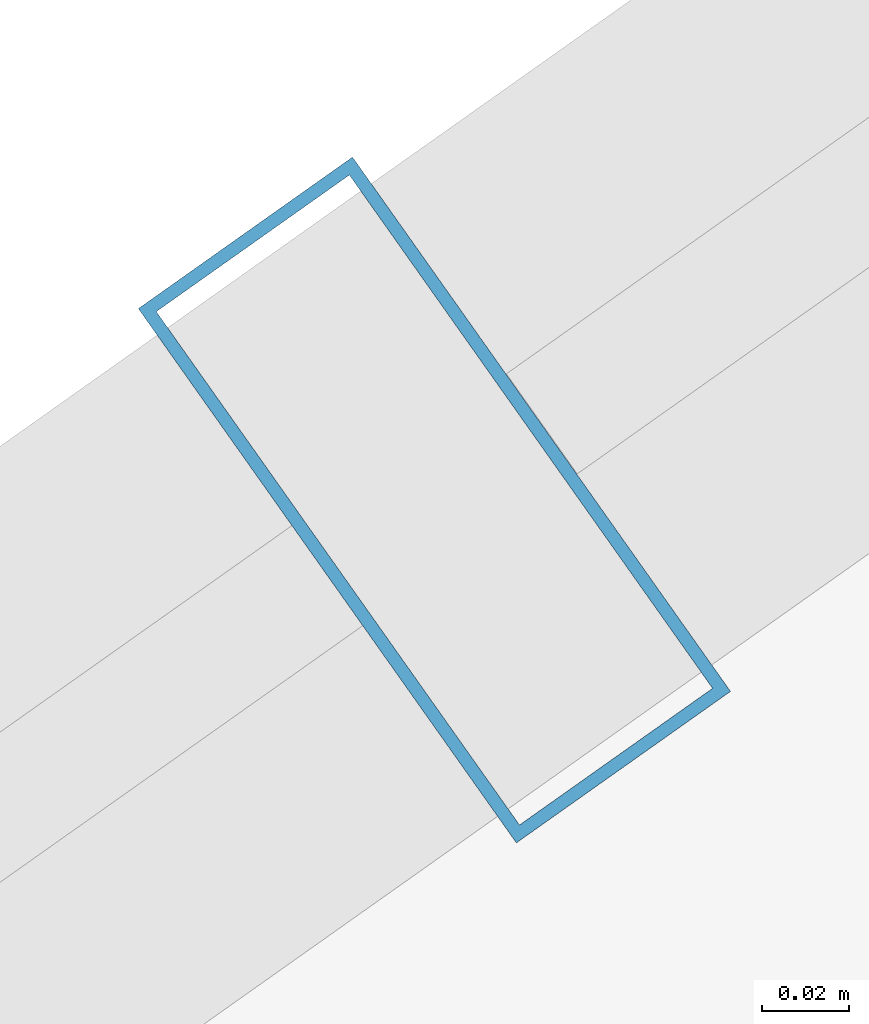
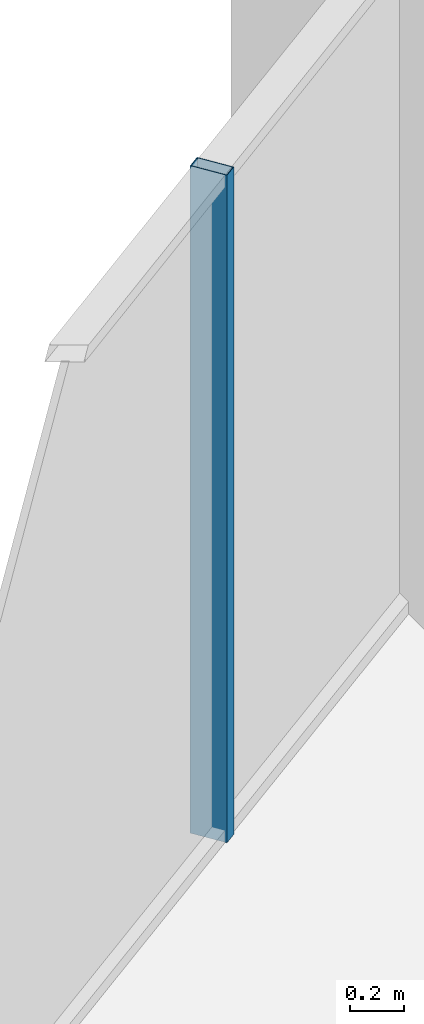
# One storey, part 21 of 32: 1 member, 1 element without a shape of its own.
"""IFC4 building model written with IfcOpenShell, lengths in metres."""

from ifc_helpers import new_model, si_unit, direction, frame, origin, origin_2d, place, context, subcontext, project, spatial, hollow_rectangle, extrude, source, transform, mapped, material, layer, layer_set, material_profile, profile_set, type_object, element, aggregate, save


model = new_model("IFC4")

# Units and contexts
model_context = context("Model", 3, precision=1e-05, world=origin(), true_north=direction((0.0, 1.0)))
body_context = subcontext(model_context, "Body", "Model", "MODEL_VIEW")
ifc_project = project(units=[si_unit("LENGTHUNIT", "METRE"), si_unit("AREAUNIT", "SQUARE_METRE"), si_unit("VOLUMEUNIT", "CUBIC_METRE"), si_unit("PLANEANGLEUNIT", "RADIAN"), si_unit("MASSUNIT", "GRAM", prefix="KILO")], contexts=[model_context])

# Site, building, storey
site_placement = place(None, origin())
site = spatial("IfcSite", under=ifc_project, at=site_placement, CompositionType="ELEMENT")
building_placement = place(site_placement, origin())
building = spatial("IfcBuilding", under=site, at=building_placement, Name="Veraguas Prism Commons", CompositionType="ELEMENT")
storey_placement = place(building_placement, frame((0.0, 0.0, 188.60009765625)))
storey = spatial("IfcBuildingStorey", under=building, at=storey_placement, Name="L53", CompositionType="ELEMENT", Elevation=188.60009765625)

# Curtain wall, member
ifc_material = material(Name="Anodised aluminium EN AW-6063 T6", Category="aluminium")
ifc_layer = layer(ifc_material, 0.14990234375, Name="Unitised Flush Curtain Wall Zone 3", Category="aluminium")
ifc_layer_set = layer_set([ifc_layer], Name="Anodised aluminium EN AW-6063 T6")
curtain_wall_type = type_object("IfcCurtainWallType", Name="Unitised Flush Curtain Wall Zone 3", PredefinedType="NOTDEFINED", material=ifc_layer_set)
curtain_wall_placement = place(storey_placement, origin())
curtain_wall = element("IfcCurtainWall", 1, at=curtain_wall_placement, inside=storey, type_object=curtain_wall_type, Name="Tower Facade Curtain Wall L53-F2", PredefinedType="NOTDEFINED")
ifc_material_profile = material_profile(ifc_material, hollow_rectangle(XDim=0.06005859375, YDim=0.14990234375, WallThickness=0.0029296875, at=origin_2d()), Name="AL60X150X3")
ifc_profile_set = profile_set([ifc_material_profile], Name="Anodised aluminium EN AW-6063 T6")
member_type = type_object("IfcMemberType", Name="Curtain Wall Mullion Upper AL 60x150x3", PredefinedType="MULLION", material=ifc_profile_set)
shared_shape = source(origin(), body_context, "Body", "SweptSolid", [
    extrude(hollow_rectangle(XDim=0.06005859375, YDim=0.14990234375, WallThickness=0.0029296875, at=origin_2d()), origin(), (0.0, 0.0, 1.0), 3.014892578125),
])
member_placement = place(storey_placement, frame((13.77099609375, 38.45751953125, 0.0), z_axis=(0.0, 0.0, 1.0), x_axis=(-0.816341266821, -0.577569853857, 0.0)))
member = element("IfcMember", 2, at=member_placement, type_object=member_type, Name="CW-Z3 Mullion 3", PredefinedType="MULLION", context=body_context, shape_type="MappedRepresentation", body=[
    mapped(shared_shape, transform((0.0, 0.0, 0.0), scale=1.0)),
])
aggregate(curtain_wall, [member])

save(model, "model.ifc")
